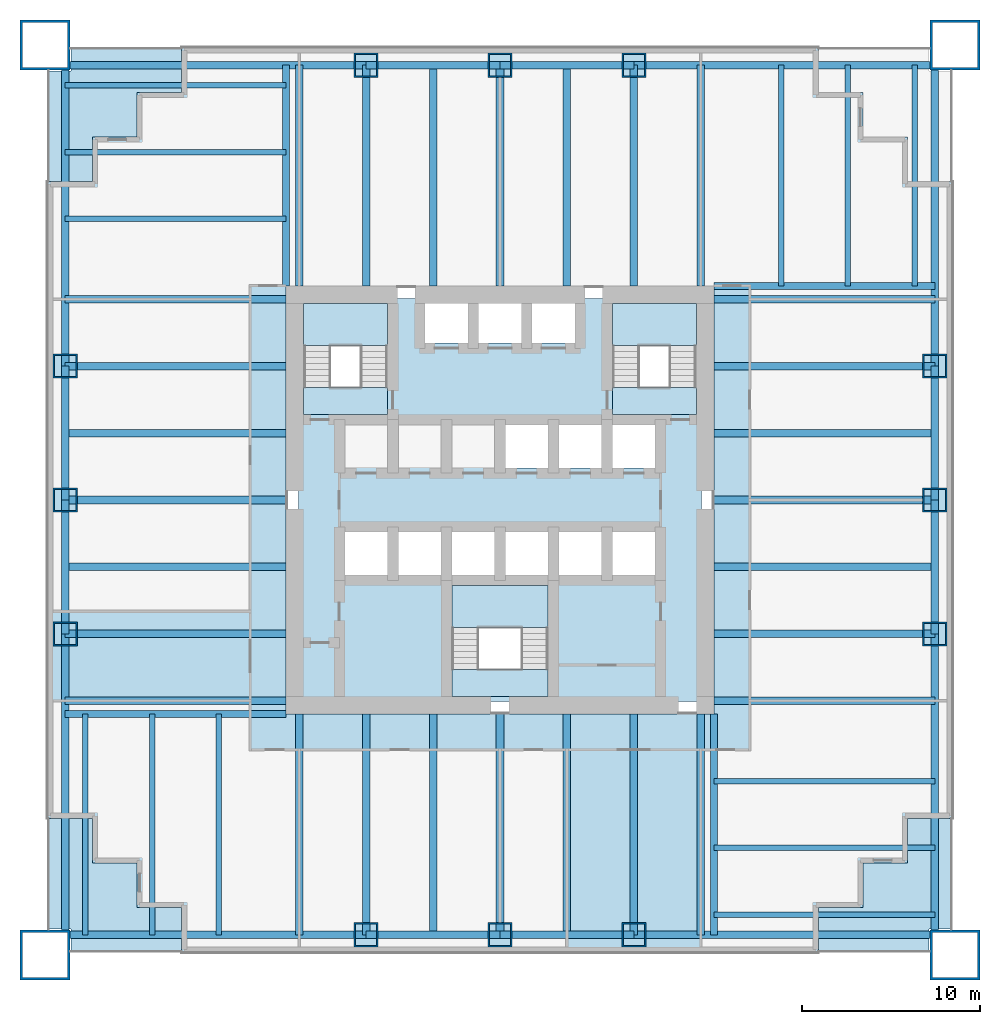
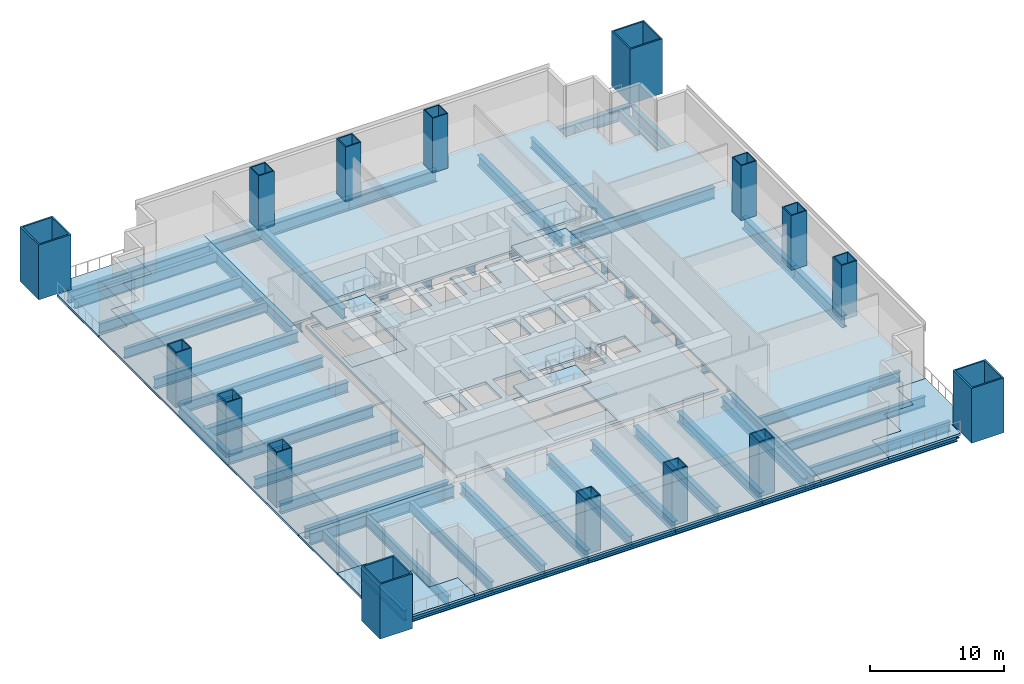
# One storey, part 1 of 6: 60 beams, 20 slabs, 16 columns, 3 elements without a shape of their own.
"""IFC4 building model written with IfcOpenShell, lengths in metres."""

from ifc_helpers import new_model, si_unit, direction, frame, origin, origin_2d, place, context, subcontext, project, spatial, polyline, hollow_rectangle, i_section, outline, extrude, material, layer, layer_set, material_profile, profile_set, type_object, element, aggregate, save


model = new_model("IFC4")

# Units and contexts
model_context = context("Model", 3, precision=1e-05, world=origin(), true_north=direction((0.0, 1.0)))
body_context = subcontext(model_context, "Body", "Model", "MODEL_VIEW")
ifc_project = project(units=[si_unit("LENGTHUNIT", "METRE"), si_unit("AREAUNIT", "SQUARE_METRE"), si_unit("VOLUMEUNIT", "CUBIC_METRE"), si_unit("PLANEANGLEUNIT", "RADIAN"), si_unit("MASSUNIT", "GRAM", prefix="KILO")], contexts=[model_context])

# Site, building, storey
site_placement = place(None, origin())
site = spatial("IfcSite", under=ifc_project, at=site_placement, CompositionType="ELEMENT")
building_placement = place(site_placement, origin())
building = spatial("IfcBuilding", under=site, at=building_placement, Name="Tarangal Relay Tower", CompositionType="ELEMENT")
storey_placement = place(building_placement, frame((0.0, 0.0, 63.39990234375)))
storey = spatial("IfcBuildingStorey", under=building, at=storey_placement, Name="L12", CompositionType="ELEMENT", Elevation=63.39990234375)

# Columns
ifc_material_1 = material(Name="Steel ASTM A572 Grade 42", Category="steel")
ifc_material_profile_1 = material_profile(ifc_material_1, hollow_rectangle(XDim=2.800048828125, YDim=2.800048828125, WallThickness=0.139892578125, at=origin_2d()), Name="BOX2800X2800X140")
ifc_profile_set_1 = profile_set([ifc_material_profile_1], Name="Steel ASTM A572 Grade 42")
column_type_1 = type_object("IfcColumnType", Name="Mega column BOX2800X2800X140", PredefinedType="COLUMN", material=ifc_profile_set_1)
for number, where, z_axis, x_axis, name in (
    (1, (25.5, 25.5, 0.0), (0.0, 0.0, 1.0), (1.0, 0.0, 0.0), "Mega column MC1 NE L12"),
    (2, (25.5, -25.5, 0.0), (0.0, 0.0, 1.0), (1.0, 0.0, 0.0), "Mega column MC1 SE L12"),
    (3, (-25.5, -25.5, 0.0), (0.0, 0.0, 1.0), (1.0, 0.0, 0.0), "Mega column MC1 SW L12"),
    (4, (-25.5, 25.5, 0.0), (0.0, 0.0, 1.0), (1.0, 0.0, 0.0), "Mega column MC1 NW L12"),
):
    element("IfcColumn", number, at=place(storey_placement, frame(where, z_axis=z_axis, x_axis=x_axis)), inside=storey, type_object=column_type_1, Name=name, PredefinedType="COLUMN", context=body_context, shape_type="SweptSolid", body=[
        extrude(hollow_rectangle(XDim=2.800048828125, YDim=2.800048828125, WallThickness=0.139892578125, at=origin_2d()), origin(), (0.0, 0.0, 1.0), 5.0),
    ])
ifc_material_2 = material(Name="Steel ASTM A572 Grade 50", Category="steel")
ifc_material_profile_2 = material_profile(ifc_material_2, hollow_rectangle(XDim=1.35009765625, YDim=1.35009765625, WallThickness=0.0849609375, at=origin_2d()), Name="BOX1350X1350X85")
ifc_profile_set_2 = profile_set([ifc_material_profile_2], Name="Steel ASTM A572 Grade 50")
column_type_2 = type_object("IfcColumnType", Name="Perimeter column BOX1350X1350X85", PredefinedType="COLUMN", material=ifc_profile_set_2)
for number, where, z_axis, x_axis, name in (
    (5, (-7.5, 24.364990234375, 0.0), (0.0, 0.0, 1.0), (1.0, 0.0, 0.0), "Perimeter column PC2 N L12"),
    (6, (0.0, 24.364990234375, 0.0), (0.0, 0.0, 1.0), (1.0, 0.0, 0.0), "Perimeter column PC2 N L12"),
    (7, (7.5, 24.364990234375, 0.0), (0.0, 0.0, 1.0), (1.0, 0.0, 0.0), "Perimeter column PC2 N L12"),
    (8, (24.364990234375, 7.5, 0.0), (0.0, 0.0, 1.0), (1.0, 0.0, 0.0), "Perimeter column PC2 E L12"),
    (9, (24.364990234375, 0.0, 0.0), (0.0, 0.0, 1.0), (1.0, 0.0, 0.0), "Perimeter column PC2 E L12"),
    (10, (24.364990234375, -7.5, 0.0), (0.0, 0.0, 1.0), (1.0, 0.0, 0.0), "Perimeter column PC2 E L12"),
    (11, (7.5, -24.364990234375, 0.0), (0.0, 0.0, 1.0), (1.0, 0.0, 0.0), "Perimeter column PC2 S L12"),
    (12, (0.0, -24.364990234375, 0.0), (0.0, 0.0, 1.0), (1.0, 0.0, 0.0), "Perimeter column PC2 S L12"),
    (13, (-7.5, -24.364990234375, 0.0), (0.0, 0.0, 1.0), (1.0, 0.0, 0.0), "Perimeter column PC2 S L12"),
    (14, (-24.364990234375, -7.5, 0.0), (0.0, 0.0, 1.0), (1.0, 0.0, 0.0), "Perimeter column PC2 W L12"),
    (15, (-24.364990234375, 0.0, 0.0), (0.0, 0.0, 1.0), (1.0, 0.0, 0.0), "Perimeter column PC2 W L12"),
    (16, (-24.364990234375, 7.5, 0.0), (0.0, 0.0, 1.0), (1.0, 0.0, 0.0), "Perimeter column PC2 W L12"),
):
    element("IfcColumn", number, at=place(storey_placement, frame(where, z_axis=z_axis, x_axis=x_axis)), inside=storey, type_object=column_type_2, Name=name, PredefinedType="COLUMN", context=body_context, shape_type="SweptSolid", body=[
        extrude(hollow_rectangle(XDim=1.35009765625, YDim=1.35009765625, WallThickness=0.0849609375, at=origin_2d()), origin(), (0.0, 0.0, 1.0), 5.0),
    ])

# Beams
ifc_material_3 = material(Name="Steel ASTM A992", Category="steel")
ifc_material_profile_3 = material_profile(ifc_material_3, i_section(OverallWidth=0.307373046875, OverallDepth=0.927001953125, WebThickness=0.019287109375, FlangeThickness=0.031982421875, at=origin_2d()), Name="W36X194")
ifc_profile_set_3 = profile_set([ifc_material_profile_3], Name="Steel ASTM A992")
beam_type_1 = type_object("IfcBeamType", Name="Corner beam W36X194", PredefinedType="JOIST", material=ifc_profile_set_3)
for number, where, z_axis, x_axis, name in (
    (17, (15.75, 12.0, -0.66357421875), (0.0, 1.0, 0.0), (-1.0, 0.0, 0.0), "Corner beam CB10 N L12"),
    (18, (19.5, 12.0, -0.66357421875), (0.0, 1.0, 0.0), (-1.0, 0.0, 0.0), "Corner beam CB10 N L12"),
    (19, (23.25, 12.0, -0.66357421875), (0.0, 1.0, 0.0), (-1.0, 0.0, 0.0), "Corner beam CB10 N L12"),
    (20, (12.0, -15.75, -0.66357421875), (1.0, 0.0, 0.0), (0.0, 1.0, 0.0), "Corner beam CB10 E L12"),
    (21, (12.0, -19.5, -0.66357421875), (1.0, 0.0, 0.0), (0.0, 1.0, 0.0), "Corner beam CB10 E L12"),
    (22, (12.0, -23.25, -0.66357421875), (1.0, 0.0, 0.0), (0.0, 1.0, 0.0), "Corner beam CB10 E L12"),
    (23, (-15.75, -12.0, -0.66357421875), (0.0, -1.0, 0.0), (1.0, 0.0, 0.0), "Corner beam CB10 S L12"),
    (24, (-19.5, -12.0, -0.66357421875), (0.0, -1.0, 0.0), (1.0, 0.0, 0.0), "Corner beam CB10 S L12"),
    (25, (-23.25, -12.0, -0.66357421875), (0.0, -1.0, 0.0), (1.0, 0.0, 0.0), "Corner beam CB10 S L12"),
    (26, (-12.0, 15.75, -0.66357421875), (-1.0, 0.0, 0.0), (0.0, -1.0, 0.0), "Corner beam CB10 W L12"),
    (27, (-12.0, 19.5, -0.66357421875), (-1.0, 0.0, 0.0), (0.0, -1.0, 0.0), "Corner beam CB10 W L12"),
    (28, (-12.0, 23.25, -0.66357421875), (-1.0, 0.0, 0.0), (0.0, -1.0, 0.0), "Corner beam CB10 W L12"),
):
    element("IfcBeam", number, at=place(storey_placement, frame(where, z_axis=z_axis, x_axis=x_axis)), inside=storey, type_object=beam_type_1, Name=name, PredefinedType="JOIST", context=body_context, shape_type="SweptSolid", body=[
        extrude(i_section(OverallWidth=0.307373046875, OverallDepth=0.927001953125, WebThickness=0.019287109375, FlangeThickness=0.031982421875, at=origin_2d()), origin(), (0.0, 0.0, 1.0), 12.364990234375),
    ])
ifc_material_profile_4 = material_profile(ifc_material_3, i_section(OverallWidth=0.40380859375, OverallDepth=1.036376953125, WebThickness=0.031005859375, FlangeThickness=0.0458984375, at=origin_2d()), Name="W40X331")
ifc_profile_set_4 = profile_set([ifc_material_profile_4], Name="Steel ASTM A992")
beam_type_2 = type_object("IfcBeamType", Name="Corner girder W40X331", PredefinedType="BEAM", material=ifc_profile_set_4)
for number, where, z_axis, x_axis, name in (
    (29, (12.0, 12.0, -0.718017578125), (1.0, 0.0, 0.0), (0.0, 1.0, 0.0), "Corner girder CG2 N L12"),
    (30, (12.0, -12.0, -0.718017578125), (0.0, -1.0, 0.0), (1.0, 0.0, 0.0), "Corner girder CG2 E L12"),
    (31, (-12.0, -12.0, -0.718017578125), (-1.0, 0.0, 0.0), (0.0, -1.0, 0.0), "Corner girder CG2 S L12"),
    (32, (-12.0, 12.0, -0.718017578125), (0.0, 1.0, 0.0), (-1.0, 0.0, 0.0), "Corner girder CG2 W L12"),
):
    element("IfcBeam", number, at=place(storey_placement, frame(where, z_axis=z_axis, x_axis=x_axis)), inside=storey, type_object=beam_type_2, Name=name, PredefinedType="BEAM", context=body_context, shape_type="SweptSolid", body=[
        extrude(i_section(OverallWidth=0.40380859375, OverallDepth=1.036376953125, WebThickness=0.031005859375, FlangeThickness=0.0458984375, at=origin_2d()), origin(), (0.0, 0.0, 1.0), 12.364990234375),
    ])
ifc_material_profile_5 = material_profile(ifc_material_3, i_section(OverallWidth=0.42431640625, OverallDepth=1.09228515625, WebThickness=0.04541015625, FlangeThickness=0.08203125, at=origin_2d()), Name="W40X593")
ifc_profile_set_5 = profile_set([ifc_material_profile_5], Name="Steel ASTM A992")
beam_type_3 = type_object("IfcBeamType", Name="Edge girder W40X593", PredefinedType="SPANDREL", material=ifc_profile_set_5)
beam_1_placement = place(storey_placement, frame((-24.25, 24.364990234375, -0.74609375), z_axis=(1.0, 0.0, 0.0), x_axis=(0.0, 1.0, 0.0)))
element("IfcBeam", 33, at=beam_1_placement, inside=storey, type_object=beam_type_3, Name="Edge girder EG9 N L12", PredefinedType="SPANDREL", context=body_context, shape_type="SweptSolid", body=[
    extrude(i_section(OverallWidth=0.42431640625, OverallDepth=1.09228515625, WebThickness=0.04541015625, FlangeThickness=0.08203125, at=origin_2d()), origin(), (0.0, 0.0, 1.0), 16.75),
])
for number, where, z_axis, x_axis, name in (
    (34, (-7.5, 24.364990234375, -0.74609375), (1.0, 0.0, 0.0), (0.0, 1.0, 0.0), "Edge girder EG9 N L12"),
    (35, (0.0, 24.364990234375, -0.74609375), (1.0, 0.0, 0.0), (0.0, 1.0, 0.0), "Edge girder EG9 N L12"),
):
    element("IfcBeam", number, at=place(storey_placement, frame(where, z_axis=z_axis, x_axis=x_axis)), inside=storey, type_object=beam_type_3, Name=name, PredefinedType="SPANDREL", context=body_context, shape_type="SweptSolid", body=[
        extrude(i_section(OverallWidth=0.42431640625, OverallDepth=1.09228515625, WebThickness=0.04541015625, FlangeThickness=0.08203125, at=origin_2d()), origin(), (0.0, 0.0, 1.0), 7.5),
    ])
for number, where, z_axis, x_axis, name in (
    (36, (7.5, 24.364990234375, -0.74609375), (1.0, 0.0, 0.0), (0.0, 1.0, 0.0), "Edge girder EG9 N L12"),
    (37, (24.364990234375, 24.25, -0.74609375), (0.0, -1.0, 0.0), (1.0, 0.0, 0.0), "Edge girder EG9 E L12"),
):
    element("IfcBeam", number, at=place(storey_placement, frame(where, z_axis=z_axis, x_axis=x_axis)), inside=storey, type_object=beam_type_3, Name=name, PredefinedType="SPANDREL", context=body_context, shape_type="SweptSolid", body=[
        extrude(i_section(OverallWidth=0.42431640625, OverallDepth=1.09228515625, WebThickness=0.04541015625, FlangeThickness=0.08203125, at=origin_2d()), origin(), (0.0, 0.0, 1.0), 16.75),
    ])
for number, where, z_axis, x_axis, name in (
    (38, (24.364990234375, 7.5, -0.74609375), (0.0, -1.0, 0.0), (1.0, 0.0, 0.0), "Edge girder EG9 E L12"),
    (39, (24.364990234375, 0.0, -0.74609375), (0.0, -1.0, 0.0), (1.0, 0.0, 0.0), "Edge girder EG9 E L12"),
):
    element("IfcBeam", number, at=place(storey_placement, frame(where, z_axis=z_axis, x_axis=x_axis)), inside=storey, type_object=beam_type_3, Name=name, PredefinedType="SPANDREL", context=body_context, shape_type="SweptSolid", body=[
        extrude(i_section(OverallWidth=0.42431640625, OverallDepth=1.09228515625, WebThickness=0.04541015625, FlangeThickness=0.08203125, at=origin_2d()), origin(), (0.0, 0.0, 1.0), 7.5),
    ])
for number, where, z_axis, x_axis, name in (
    (40, (24.364990234375, -7.5, -0.74609375), (0.0, -1.0, 0.0), (1.0, 0.0, 0.0), "Edge girder EG9 E L12"),
    (41, (24.25, -24.364990234375, -0.74609375), (-1.0, 0.0, 0.0), (0.0, -1.0, 0.0), "Edge girder EG9 S L12"),
):
    element("IfcBeam", number, at=place(storey_placement, frame(where, z_axis=z_axis, x_axis=x_axis)), inside=storey, type_object=beam_type_3, Name=name, PredefinedType="SPANDREL", context=body_context, shape_type="SweptSolid", body=[
        extrude(i_section(OverallWidth=0.42431640625, OverallDepth=1.09228515625, WebThickness=0.04541015625, FlangeThickness=0.08203125, at=origin_2d()), origin(), (0.0, 0.0, 1.0), 16.75),
    ])
for number, where, z_axis, x_axis, name in (
    (42, (7.5, -24.364990234375, -0.74609375), (-1.0, 0.0, 0.0), (0.0, -1.0, 0.0), "Edge girder EG9 S L12"),
    (43, (0.0, -24.364990234375, -0.74609375), (-1.0, 0.0, 0.0), (0.0, -1.0, 0.0), "Edge girder EG9 S L12"),
):
    element("IfcBeam", number, at=place(storey_placement, frame(where, z_axis=z_axis, x_axis=x_axis)), inside=storey, type_object=beam_type_3, Name=name, PredefinedType="SPANDREL", context=body_context, shape_type="SweptSolid", body=[
        extrude(i_section(OverallWidth=0.42431640625, OverallDepth=1.09228515625, WebThickness=0.04541015625, FlangeThickness=0.08203125, at=origin_2d()), origin(), (0.0, 0.0, 1.0), 7.5),
    ])
for number, where, z_axis, x_axis, name in (
    (44, (-7.5, -24.364990234375, -0.74609375), (-1.0, 0.0, 0.0), (0.0, -1.0, 0.0), "Edge girder EG9 S L12"),
    (45, (-24.364990234375, -24.25, -0.74609375), (0.0, 1.0, 0.0), (-1.0, 0.0, 0.0), "Edge girder EG9 W L12"),
):
    element("IfcBeam", number, at=place(storey_placement, frame(where, z_axis=z_axis, x_axis=x_axis)), inside=storey, type_object=beam_type_3, Name=name, PredefinedType="SPANDREL", context=body_context, shape_type="SweptSolid", body=[
        extrude(i_section(OverallWidth=0.42431640625, OverallDepth=1.09228515625, WebThickness=0.04541015625, FlangeThickness=0.08203125, at=origin_2d()), origin(), (0.0, 0.0, 1.0), 16.75),
    ])
for number, where, z_axis, x_axis, name in (
    (46, (-24.364990234375, -7.5, -0.74609375), (0.0, 1.0, 0.0), (-1.0, 0.0, 0.0), "Edge girder EG9 W L12"),
    (47, (-24.364990234375, 0.0, -0.74609375), (0.0, 1.0, 0.0), (-1.0, 0.0, 0.0), "Edge girder EG9 W L12"),
):
    element("IfcBeam", number, at=place(storey_placement, frame(where, z_axis=z_axis, x_axis=x_axis)), inside=storey, type_object=beam_type_3, Name=name, PredefinedType="SPANDREL", context=body_context, shape_type="SweptSolid", body=[
        extrude(i_section(OverallWidth=0.42431640625, OverallDepth=1.09228515625, WebThickness=0.04541015625, FlangeThickness=0.08203125, at=origin_2d()), origin(), (0.0, 0.0, 1.0), 7.5),
    ])
beam_2_placement = place(storey_placement, frame((-24.364990234375, 7.5, -0.74609375), z_axis=(0.0, 1.0, 0.0), x_axis=(-1.0, 0.0, 0.0)))
element("IfcBeam", 48, at=beam_2_placement, inside=storey, type_object=beam_type_3, Name="Edge girder EG9 W L12", PredefinedType="SPANDREL", context=body_context, shape_type="SweptSolid", body=[
    extrude(i_section(OverallWidth=0.42431640625, OverallDepth=1.09228515625, WebThickness=0.04541015625, FlangeThickness=0.08203125, at=origin_2d()), origin(), (0.0, 0.0, 1.0), 16.75),
])
ifc_material_profile_6 = material_profile(ifc_material_3, i_section(OverallWidth=0.42431640625, OverallDepth=0.947509765625, WebThickness=0.02392578125, FlangeThickness=0.042724609375, at=origin_2d()), Name="W36X302")
ifc_profile_set_6 = profile_set([ifc_material_profile_6], Name="Steel ASTM A992")
beam_type_4 = type_object("IfcBeamType", Name="Floor beam W36X302", PredefinedType="BEAM", material=ifc_profile_set_6)
for number, where, z_axis, x_axis, name in (
    (49, (-11.25, 12.0, -0.673583984375), (0.0, 1.0, 0.0), (-1.0, 0.0, 0.0), "Floor beam RB10 N L12"),
    (50, (-7.5, 12.0, -0.673583984375), (0.0, 1.0, 0.0), (-1.0, 0.0, 0.0), "Floor beam RB10 N L12"),
    (51, (-3.75, 12.0, -0.673583984375), (0.0, 1.0, 0.0), (-1.0, 0.0, 0.0), "Floor beam RB10 N L12"),
    (52, (0.0, 12.0, -0.673583984375), (0.0, 1.0, 0.0), (-1.0, 0.0, 0.0), "Floor beam RB10 N L12"),
    (53, (3.75, 12.0, -0.673583984375), (0.0, 1.0, 0.0), (-1.0, 0.0, 0.0), "Floor beam RB10 N L12"),
    (54, (7.5, 12.0, -0.673583984375), (0.0, 1.0, 0.0), (-1.0, 0.0, 0.0), "Floor beam RB10 N L12"),
    (55, (11.25, 12.0, -0.673583984375), (0.0, 1.0, 0.0), (-1.0, 0.0, 0.0), "Floor beam RB10 N L12"),
    (56, (12.0, 11.25, -0.673583984375), (1.0, 0.0, 0.0), (0.0, 1.0, 0.0), "Floor beam RB10 E L12"),
    (57, (12.0, 7.5, -0.673583984375), (1.0, 0.0, 0.0), (0.0, 1.0, 0.0), "Floor beam RB10 E L12"),
    (58, (12.0, 3.75, -0.673583984375), (1.0, 0.0, 0.0), (0.0, 1.0, 0.0), "Floor beam RB10 E L12"),
    (59, (12.0, 0.0, -0.673583984375), (1.0, 0.0, 0.0), (0.0, 1.0, 0.0), "Floor beam RB10 E L12"),
    (60, (12.0, -3.75, -0.673583984375), (1.0, 0.0, 0.0), (0.0, 1.0, 0.0), "Floor beam RB10 E L12"),
    (61, (12.0, -7.5, -0.673583984375), (1.0, 0.0, 0.0), (0.0, 1.0, 0.0), "Floor beam RB10 E L12"),
    (62, (12.0, -11.25, -0.673583984375), (1.0, 0.0, 0.0), (0.0, 1.0, 0.0), "Floor beam RB10 E L12"),
    (63, (11.25, -12.0, -0.673583984375), (0.0, -1.0, 0.0), (1.0, 0.0, 0.0), "Floor beam RB10 S L12"),
    (64, (7.5, -12.0, -0.673583984375), (0.0, -1.0, 0.0), (1.0, 0.0, 0.0), "Floor beam RB10 S L12"),
    (65, (3.75, -12.0, -0.673583984375), (0.0, -1.0, 0.0), (1.0, 0.0, 0.0), "Floor beam RB10 S L12"),
    (66, (0.0, -12.0, -0.673583984375), (0.0, -1.0, 0.0), (1.0, 0.0, 0.0), "Floor beam RB10 S L12"),
    (67, (-3.75, -12.0, -0.673583984375), (0.0, -1.0, 0.0), (1.0, 0.0, 0.0), "Floor beam RB10 S L12"),
    (68, (-7.5, -12.0, -0.673583984375), (0.0, -1.0, 0.0), (1.0, 0.0, 0.0), "Floor beam RB10 S L12"),
    (69, (-11.25, -12.0, -0.673583984375), (0.0, -1.0, 0.0), (1.0, 0.0, 0.0), "Floor beam RB10 S L12"),
    (70, (-12.0, -11.25, -0.673583984375), (-1.0, 0.0, 0.0), (0.0, -1.0, 0.0), "Floor beam RB10 W L12"),
    (71, (-12.0, -7.5, -0.673583984375), (-1.0, 0.0, 0.0), (0.0, -1.0, 0.0), "Floor beam RB10 W L12"),
    (72, (-12.0, -3.75, -0.673583984375), (-1.0, 0.0, 0.0), (0.0, -1.0, 0.0), "Floor beam RB10 W L12"),
    (73, (-12.0, 0.0, -0.673583984375), (-1.0, 0.0, 0.0), (0.0, -1.0, 0.0), "Floor beam RB10 W L12"),
    (74, (-12.0, 3.75, -0.673583984375), (-1.0, 0.0, 0.0), (0.0, -1.0, 0.0), "Floor beam RB10 W L12"),
    (75, (-12.0, 7.5, -0.673583984375), (-1.0, 0.0, 0.0), (0.0, -1.0, 0.0), "Floor beam RB10 W L12"),
    (76, (-12.0, 11.25, -0.673583984375), (-1.0, 0.0, 0.0), (0.0, -1.0, 0.0), "Floor beam RB10 W L12"),
):
    element("IfcBeam", number, at=place(storey_placement, frame(where, z_axis=z_axis, x_axis=x_axis)), inside=storey, type_object=beam_type_4, Name=name, PredefinedType="BEAM", context=body_context, shape_type="SweptSolid", body=[
        extrude(i_section(OverallWidth=0.42431640625, OverallDepth=0.947509765625, WebThickness=0.02392578125, FlangeThickness=0.042724609375, at=origin_2d()), origin(), (0.0, 0.0, 1.0), 12.364990234375),
    ])

# Slabs
ifc_material_4 = material(Name="Concrete fc' 35 MPa", Category="concrete")
ifc_layer_1 = layer(ifc_material_4, 0.25)
ifc_layer_set_1 = layer_set([ifc_layer_1], Name="Core floor slab 250")
slab_type_1 = type_object("IfcSlabType", Name="Core floor slab 250", PredefinedType="FLOOR", material=ifc_layer_set_1)
slab_1_placement = place(storey_placement, frame((0.0, 0.0, -0.25)))
element("IfcSlab", 77, at=slab_1_placement, inside=storey, type_object=slab_type_1, Name="Core floor slab L12", PredefinedType="FLOOR", context=body_context, shape_type="SweptSolid", body=[
    extrude(outline(polyline([(11.300048828125, 11.300048828125), (11.300048828125, -11.300048828125), (-11.300048828125, -11.300048828125), (-11.300048828125, 11.300048828125), (-4.199951171875, 11.300048828125), (-4.199951171875, 8.800048828125), (-1.800048828125, 8.800048828125), (-1.800048828125, 11.300048828125), (-1.199951171875, 11.300048828125), (-1.199951171875, 8.800048828125), (1.199951171875, 8.800048828125), (1.199951171875, 11.300048828125), (1.800048828125, 11.300048828125), (1.800048828125, 8.800048828125), (4.199951171875, 8.800048828125), (4.199951171875, 11.300048828125), (11.300048828125, 11.300048828125)]), holes=[polyline([(2.699951171875, -4.800048828125), (-2.699951171875, -4.800048828125), (-2.699951171875, -11.0), (2.699951171875, -11.0), (2.699951171875, -4.800048828125)]), polyline([(-6.300048828125, -4.199951171875), (-6.300048828125, -1.800048828125), (-8.699951171875, -1.800048828125), (-8.699951171875, -4.199951171875), (-6.300048828125, -4.199951171875)]), polyline([(-3.300048828125, -4.199951171875), (-3.300048828125, -1.800048828125), (-5.699951171875, -1.800048828125), (-5.699951171875, -4.199951171875), (-3.300048828125, -4.199951171875)]), polyline([(-0.300048828125, -4.199951171875), (-0.300048828125, -1.800048828125), (-2.699951171875, -1.800048828125), (-2.699951171875, -4.199951171875), (-0.300048828125, -4.199951171875)]), polyline([(2.699951171875, 1.800048828125), (2.699951171875, 4.199951171875), (0.300048828125, 4.199951171875), (0.300048828125, 1.800048828125), (2.699951171875, 1.800048828125)]), polyline([(-6.300048828125, 4.800048828125), (-6.300048828125, 11.0), (-11.0, 11.0), (-11.0, 4.800048828125), (-6.300048828125, 4.800048828125)]), polyline([(2.699951171875, -4.199951171875), (2.699951171875, -1.800048828125), (0.300048828125, -1.800048828125), (0.300048828125, -4.199951171875), (2.699951171875, -4.199951171875)]), polyline([(5.699951171875, -4.199951171875), (5.699951171875, -1.800048828125), (3.300048828125, -1.800048828125), (3.300048828125, -4.199951171875), (5.699951171875, -4.199951171875)]), polyline([(8.699951171875, -4.199951171875), (8.699951171875, -1.800048828125), (6.300048828125, -1.800048828125), (6.300048828125, -4.199951171875), (8.699951171875, -4.199951171875)]), polyline([(5.699951171875, 1.800048828125), (5.699951171875, 4.199951171875), (3.300048828125, 4.199951171875), (3.300048828125, 1.800048828125), (5.699951171875, 1.800048828125)]), polyline([(8.699951171875, 1.800048828125), (8.699951171875, 4.199951171875), (6.300048828125, 4.199951171875), (6.300048828125, 1.800048828125), (8.699951171875, 1.800048828125)]), polyline([(11.0, 4.800048828125), (11.0, 11.0), (6.300048828125, 11.0), (6.300048828125, 4.800048828125), (11.0, 4.800048828125)])]), origin(), (0.0, 0.0, 1.0), 0.25),
])
ifc_layer_2 = layer(ifc_material_4, 0.199951171875)
ifc_layer_set_2 = layer_set([ifc_layer_2], Name="Floor slab 200")
slab_type_2 = type_object("IfcSlabType", Name="Floor slab 200", PredefinedType="FLOOR", material=ifc_layer_set_2)
slab_2_placement = place(storey_placement, frame((0.0, 0.0, -0.199951171875)))
element("IfcSlab", 78, at=slab_2_placement, inside=storey, type_object=slab_type_2, Name="Floor slab FS2 L12 north bay", PredefinedType="FLOOR", context=body_context, shape_type="SweptSolid", body=[
    extrude(outline(polyline([(17.85009765625, 25.35009765625), (17.85009765625, 22.85009765625), (20.35009765625, 22.85009765625), (20.35009765625, 20.35009765625), (22.85009765625, 20.35009765625), (22.85009765625, 17.85009765625), (25.35009765625, 17.85009765625), (25.35009765625, 12.0), (-12.0, 12.0), (-12.0, 25.35009765625), (17.85009765625, 25.35009765625)])), origin(), (0.0, 0.0, 1.0), 0.199951171875),
])
slab_3_placement = place(storey_placement, frame((0.0, 0.0, -0.199951171875)))
element("IfcSlab", 79, at=slab_3_placement, inside=storey, type_object=slab_type_2, Name="Floor slab FS2 L12 east bay", PredefinedType="FLOOR", context=body_context, shape_type="SweptSolid", body=[
    extrude(outline(polyline([(25.35009765625, -17.85009765625), (22.85009765625, -17.85009765625), (22.85009765625, -20.35009765625), (20.35009765625, -20.35009765625), (20.35009765625, -22.85009765625), (17.85009765625, -22.85009765625), (17.85009765625, -25.35009765625), (12.0, -25.35009765625), (12.0, 12.0), (25.35009765625, 12.0), (25.35009765625, -17.85009765625)])), origin(), (0.0, 0.0, 1.0), 0.199951171875),
])
slab_4_placement = place(storey_placement, frame((0.0, 0.0, -0.199951171875)))
element("IfcSlab", 80, at=slab_4_placement, inside=storey, type_object=slab_type_2, Name="Floor slab FS2 L12 south bay", PredefinedType="FLOOR", context=body_context, shape_type="SweptSolid", body=[
    extrude(outline(polyline([(-17.85009765625, -25.35009765625), (-17.85009765625, -22.85009765625), (-20.35009765625, -22.85009765625), (-20.35009765625, -20.35009765625), (-22.85009765625, -20.35009765625), (-22.85009765625, -17.85009765625), (-25.35009765625, -17.85009765625), (-25.35009765625, -12.0), (12.0, -12.0), (12.0, -25.35009765625), (-17.85009765625, -25.35009765625)])), origin(), (0.0, 0.0, 1.0), 0.199951171875),
])
slab_5_placement = place(storey_placement, frame((0.0, 0.0, -0.199951171875)))
element("IfcSlab", 81, at=slab_5_placement, inside=storey, type_object=slab_type_2, Name="Floor slab FS2 L12 west bay", PredefinedType="FLOOR", context=body_context, shape_type="SweptSolid", body=[
    extrude(outline(polyline([(-12.0, 25.35009765625), (-12.0, -12.0), (-25.35009765625, -12.0), (-25.35009765625, 17.85009765625), (-22.85009765625, 17.85009765625), (-22.85009765625, 20.35009765625), (-20.35009765625, 20.35009765625), (-20.35009765625, 22.85009765625), (-17.85009765625, 22.85009765625), (-17.85009765625, 25.35009765625), (-12.0, 25.35009765625)])), origin(), (0.0, 0.0, 1.0), 0.199951171875),
])

# Stair, slabs
ifc_material_5 = material(Name="Steel ASTM A992 stair flight", Category="steel")
stair_type = type_object("IfcStairType", Name="Core stair 1500", PredefinedType="HALF_TURN_STAIR", material=ifc_material_5)
stair_1_placement = place(storey_placement, origin())
stair_1 = element("IfcStair", 82, at=stair_1_placement, inside=storey, type_object=stair_type, Name="Stair ST-A L12", PredefinedType="HALF_TURN_STAIR")
ifc_layer_3 = layer(ifc_material_4, 0.199951171875)
ifc_layer_set_3 = layer_set([ifc_layer_3], Name="Stair landing 200")
slab_type_3 = type_object("IfcSlabType", Name="Stair landing 200", PredefinedType="LANDING", material=ifc_layer_set_3)
slab_6_placement = place(storey_placement, frame((0.0, 0.0, -0.199951171875)))
slab_6 = element("IfcSlab", 83, at=slab_6_placement, type_object=slab_type_3, Name="ST-A landing 1", PredefinedType="LANDING", context=body_context, shape_type="SweptSolid", body=[
    extrude(outline(polyline([(-11.0, 4.800048828125), (-6.300048828125, 4.800048828125), (-6.300048828125, 6.300048828125), (-11.0, 6.300048828125), (-11.0, 4.800048828125)])), origin(), (0.0, 0.0, 1.0), 0.199951171875),
])
slab_7_placement = place(storey_placement, frame((0.0, 0.0, 1.050048828125)))
slab_7 = element("IfcSlab", 84, at=slab_7_placement, type_object=slab_type_3, Name="ST-A landing 2", PredefinedType="LANDING", context=body_context, shape_type="SweptSolid", body=[
    extrude(outline(polyline([(-11.0, 8.64501953125), (-6.300048828125, 8.64501953125), (-6.300048828125, 11.0), (-11.0, 11.0), (-11.0, 8.64501953125)])), origin(), (0.0, 0.0, 1.0), 0.199951171875),
])
slab_8_placement = place(storey_placement, frame((0.0, 0.0, 2.300048828125)))
slab_8 = element("IfcSlab", 85, at=slab_8_placement, type_object=slab_type_3, Name="ST-A landing 3", PredefinedType="LANDING", context=body_context, shape_type="SweptSolid", body=[
    extrude(outline(polyline([(-11.0, 4.800048828125), (-6.300048828125, 4.800048828125), (-6.300048828125, 6.300048828125), (-11.0, 6.300048828125), (-11.0, 4.800048828125)])), origin(), (0.0, 0.0, 1.0), 0.199951171875),
])
slab_9_placement = place(storey_placement, frame((0.0, 0.0, 3.550048828125)))
slab_9 = element("IfcSlab", 86, at=slab_9_placement, type_object=slab_type_3, Name="ST-A landing 4", PredefinedType="LANDING", context=body_context, shape_type="SweptSolid", body=[
    extrude(outline(polyline([(-11.0, 8.64501953125), (-6.300048828125, 8.64501953125), (-6.300048828125, 11.0), (-11.0, 11.0), (-11.0, 8.64501953125)])), origin(), (0.0, 0.0, 1.0), 0.199951171875),
])
aggregate(stair_1, [slab_6, slab_7, slab_8, slab_9])

stair_2_placement = place(storey_placement, origin())
stair_2 = element("IfcStair", 87, at=stair_2_placement, inside=storey, type_object=stair_type, Name="Stair ST-B L12", PredefinedType="HALF_TURN_STAIR")
slab_10_placement = place(storey_placement, frame((0.0, 0.0, -0.199951171875)))
slab_10 = element("IfcSlab", 88, at=slab_10_placement, type_object=slab_type_3, Name="ST-B landing 1", PredefinedType="LANDING", context=body_context, shape_type="SweptSolid", body=[
    extrude(outline(polyline([(6.300048828125, 4.800048828125), (11.0, 4.800048828125), (11.0, 6.300048828125), (6.300048828125, 6.300048828125), (6.300048828125, 4.800048828125)])), origin(), (0.0, 0.0, 1.0), 0.199951171875),
])
slab_11_placement = place(storey_placement, frame((0.0, 0.0, 1.050048828125)))
slab_11 = element("IfcSlab", 89, at=slab_11_placement, type_object=slab_type_3, Name="ST-B landing 2", PredefinedType="LANDING", context=body_context, shape_type="SweptSolid", body=[
    extrude(outline(polyline([(6.300048828125, 8.64501953125), (11.0, 8.64501953125), (11.0, 11.0), (6.300048828125, 11.0), (6.300048828125, 8.64501953125)])), origin(), (0.0, 0.0, 1.0), 0.199951171875),
])
slab_12_placement = place(storey_placement, frame((0.0, 0.0, 2.300048828125)))
slab_12 = element("IfcSlab", 90, at=slab_12_placement, type_object=slab_type_3, Name="ST-B landing 3", PredefinedType="LANDING", context=body_context, shape_type="SweptSolid", body=[
    extrude(outline(polyline([(6.300048828125, 4.800048828125), (11.0, 4.800048828125), (11.0, 6.300048828125), (6.300048828125, 6.300048828125), (6.300048828125, 4.800048828125)])), origin(), (0.0, 0.0, 1.0), 0.199951171875),
])
slab_13_placement = place(storey_placement, frame((0.0, 0.0, 3.550048828125)))
slab_13 = element("IfcSlab", 91, at=slab_13_placement, type_object=slab_type_3, Name="ST-B landing 4", PredefinedType="LANDING", context=body_context, shape_type="SweptSolid", body=[
    extrude(outline(polyline([(6.300048828125, 8.64501953125), (11.0, 8.64501953125), (11.0, 11.0), (6.300048828125, 11.0), (6.300048828125, 8.64501953125)])), origin(), (0.0, 0.0, 1.0), 0.199951171875),
])
aggregate(stair_2, [slab_10, slab_11, slab_12, slab_13])

stair_3_placement = place(storey_placement, origin())
stair_3 = element("IfcStair", 92, at=stair_3_placement, inside=storey, type_object=stair_type, Name="Stair ST-C L12", PredefinedType="HALF_TURN_STAIR")
slab_14_placement = place(storey_placement, frame((0.0, 0.0, -0.199951171875)))
slab_14 = element("IfcSlab", 93, at=slab_14_placement, type_object=slab_type_3, Name="ST-C landing 1", PredefinedType="LANDING", context=body_context, shape_type="SweptSolid", body=[
    extrude(outline(polyline([(-2.699951171875, -11.0), (2.699951171875, -11.0), (2.699951171875, -9.5), (-2.699951171875, -9.5), (-2.699951171875, -11.0)])), origin(), (0.0, 0.0, 1.0), 0.199951171875),
])
slab_15_placement = place(storey_placement, frame((0.0, 0.0, 1.050048828125)))
slab_15 = element("IfcSlab", 94, at=slab_15_placement, type_object=slab_type_3, Name="ST-C landing 2", PredefinedType="LANDING", context=body_context, shape_type="SweptSolid", body=[
    extrude(outline(polyline([(-2.699951171875, -7.155029296875), (2.699951171875, -7.155029296875), (2.699951171875, -4.800048828125), (-2.699951171875, -4.800048828125), (-2.699951171875, -7.155029296875)])), origin(), (0.0, 0.0, 1.0), 0.199951171875),
])
slab_16_placement = place(storey_placement, frame((0.0, 0.0, 2.300048828125)))
slab_16 = element("IfcSlab", 95, at=slab_16_placement, type_object=slab_type_3, Name="ST-C landing 3", PredefinedType="LANDING", context=body_context, shape_type="SweptSolid", body=[
    extrude(outline(polyline([(-2.699951171875, -11.0), (2.699951171875, -11.0), (2.699951171875, -9.5), (-2.699951171875, -9.5), (-2.699951171875, -11.0)])), origin(), (0.0, 0.0, 1.0), 0.199951171875),
])
slab_17_placement = place(storey_placement, frame((0.0, 0.0, 3.550048828125)))
slab_17 = element("IfcSlab", 96, at=slab_17_placement, type_object=slab_type_3, Name="ST-C landing 4", PredefinedType="LANDING", context=body_context, shape_type="SweptSolid", body=[
    extrude(outline(polyline([(-2.699951171875, -7.155029296875), (2.699951171875, -7.155029296875), (2.699951171875, -4.800048828125), (-2.699951171875, -4.800048828125), (-2.699951171875, -7.155029296875)])), origin(), (0.0, 0.0, 1.0), 0.199951171875),
])
aggregate(stair_3, [slab_14, slab_15, slab_16, slab_17])

# Slabs
ifc_layer_4 = layer(ifc_material_4, 0.199951171875)
ifc_layer_set_4 = layer_set([ifc_layer_4], Name="Terrace slab 200")
slab_type_4 = type_object("IfcSlabType", Name="Terrace slab 200", PredefinedType="FLOOR", material=ifc_layer_set_4)
slab_18_placement = place(storey_placement, frame((0.0, 0.0, -0.199951171875)))
element("IfcSlab", 97, at=slab_18_placement, inside=storey, type_object=slab_type_4, Name="Corner terrace SE L12", PredefinedType="FLOOR", context=body_context, shape_type="SweptSolid", body=[
    extrude(outline(polyline([(25.35009765625, -17.85009765625), (22.85009765625, -17.85009765625), (22.85009765625, -20.35009765625), (20.35009765625, -20.35009765625), (20.35009765625, -22.85009765625), (17.85009765625, -22.85009765625), (17.85009765625, -25.35009765625), (24.050048828125, -25.35009765625), (24.050048828125, -24.050048828125), (25.35009765625, -24.050048828125), (25.35009765625, -17.85009765625)])), origin(), (0.0, 0.0, 1.0), 0.199951171875),
])
slab_19_placement = place(storey_placement, frame((0.0, 0.0, -0.199951171875)))
element("IfcSlab", 98, at=slab_19_placement, inside=storey, type_object=slab_type_4, Name="Corner terrace SW L12", PredefinedType="FLOOR", context=body_context, shape_type="SweptSolid", body=[
    extrude(outline(polyline([(-17.85009765625, -25.35009765625), (-17.85009765625, -22.85009765625), (-20.35009765625, -22.85009765625), (-20.35009765625, -20.35009765625), (-22.85009765625, -20.35009765625), (-22.85009765625, -17.85009765625), (-25.35009765625, -17.85009765625), (-25.35009765625, -24.050048828125), (-24.050048828125, -24.050048828125), (-24.050048828125, -25.35009765625), (-17.85009765625, -25.35009765625)])), origin(), (0.0, 0.0, 1.0), 0.199951171875),
])
slab_20_placement = place(storey_placement, frame((0.0, 0.0, -0.199951171875)))
element("IfcSlab", 99, at=slab_20_placement, inside=storey, type_object=slab_type_4, Name="Corner terrace NW L12", PredefinedType="FLOOR", context=body_context, shape_type="SweptSolid", body=[
    extrude(outline(polyline([(-25.35009765625, 17.85009765625), (-22.85009765625, 17.85009765625), (-22.85009765625, 20.35009765625), (-20.35009765625, 20.35009765625), (-20.35009765625, 22.85009765625), (-17.85009765625, 22.85009765625), (-17.85009765625, 25.35009765625), (-24.050048828125, 25.35009765625), (-24.050048828125, 24.050048828125), (-25.35009765625, 24.050048828125), (-25.35009765625, 17.85009765625)])), origin(), (0.0, 0.0, 1.0), 0.199951171875),
])

save(model, "model.ifc")
